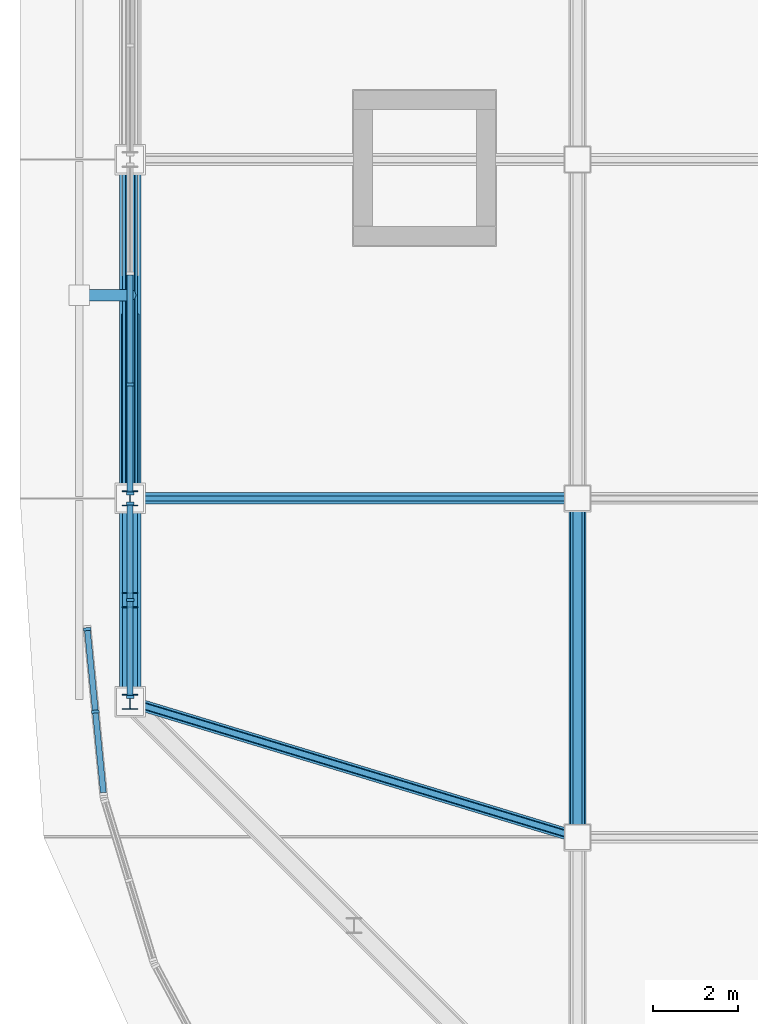
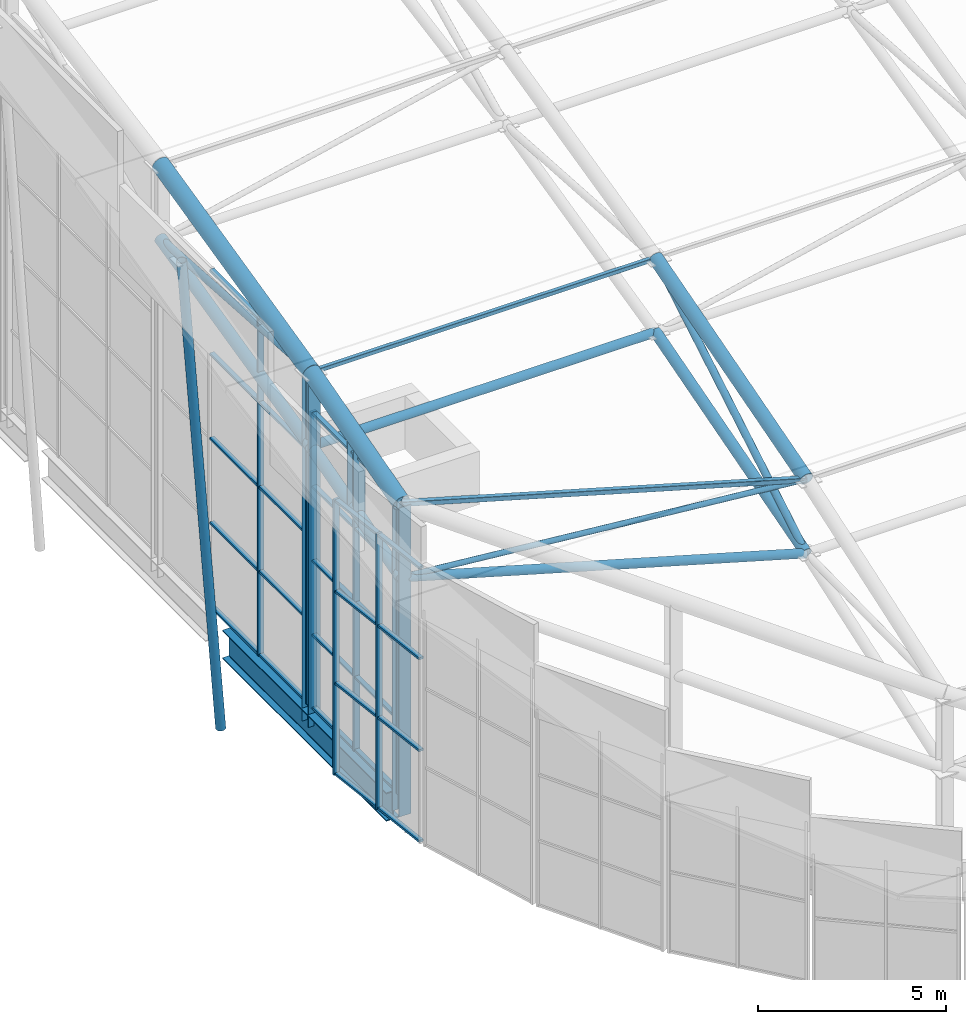
# One storey, part 4 of 42: 52 members, 1 beam, 3 elements without a shape of their own.
"""IFC4 building model written with IfcOpenShell, lengths in metres."""

from ifc_helpers import new_model, si_unit, direction, frame, origin, origin_2d, place, context, subcontext, project, spatial, rectangle, hollow_rectangle, hollow_circle, i_section, extrude, material, layer, layer_set, material_profile, profile_set, type_object, element, aggregate, save


model = new_model("IFC4")

# Units and contexts
model_context = context("Model", 3, precision=1e-05, world=origin(), true_north=direction((0.0, 1.0)))
body_context = subcontext(model_context, "Body", "Model", "MODEL_VIEW")
ifc_project = project(units=[si_unit("LENGTHUNIT", "METRE"), si_unit("AREAUNIT", "SQUARE_METRE"), si_unit("VOLUMEUNIT", "CUBIC_METRE"), si_unit("PLANEANGLEUNIT", "RADIAN"), si_unit("MASSUNIT", "GRAM", prefix="KILO")], contexts=[model_context])

# Site, building, storey
site_placement = place(None, origin())
site = spatial("IfcSite", under=ifc_project, at=site_placement, CompositionType="ELEMENT")
building_placement = place(site_placement, origin())
building = spatial("IfcBuilding", under=site, at=building_placement, Name="Caelomonte Colonnade Arena", CompositionType="ELEMENT")
storey_placement = place(building_placement, frame((0.0, 0.0, 28.199951171875)))
storey = spatial("IfcBuildingStorey", under=building, at=storey_placement, Name="RF", CompositionType="ELEMENT", Elevation=28.199951171875)

# Curtain wall, members
ifc_material_1 = material(Name="Bronze anodised aluminium and low-E glazing", Category="aluminium")
ifc_layer_1 = layer(ifc_material_1, 0.179931640625)
ifc_layer_set_1 = layer_set([ifc_layer_1], Name="Bronze anodised aluminium and low-E glazing")
curtain_wall_type_1 = type_object("IfcCurtainWallType", Name="ENV-CW-CW-TYMP-01", PredefinedType="USERDEFINED", material=ifc_layer_set_1)
curtain_wall_1_placement = place(storey_placement, origin())
curtain_wall_1 = element("IfcCurtainWall", 1, at=curtain_wall_1_placement, inside=storey, type_object=curtain_wall_type_1, Name="Barrel arch W clerestory tympanum curtain wall 1", ObjectType="UNITIZED CURTAIN WALL", PredefinedType="USERDEFINED")
ifc_material_2 = material(Name="Bronze anodised aluminium AA6063-T6", Category="aluminium")
ifc_material_profile_1 = material_profile(ifc_material_2, rectangle(XDim=0.070068359375, YDim=0.179931640625, at=origin_2d()), Name="CWM-70X180")
ifc_profile_set_1 = profile_set([ifc_material_profile_1], Name="Bronze anodised aluminium AA6063-T6")
member_type_1 = type_object("IfcMemberType", Name="ENV-CW-MULL1", PredefinedType="MULLION", material=ifc_profile_set_1)
member_1_placement = place(storey_placement, frame((57.60009765625, 43.0849609375, -0.14990234375), z_axis=(0.0, 0.0, 1.0), x_axis=(0.0, -1.0, 0.0)))
member_1 = element("IfcMember", 2, at=member_1_placement, type_object=member_type_1, Name="CW-TYMP-01 mullion 1", PredefinedType="MULLION", context=body_context, shape_type="SweptSolid", body=[
    extrude(rectangle(XDim=0.070068359375, YDim=0.179931640625, at=origin_2d()), origin(), (0.0, 0.0, 1.0), 9.61474609375),
])
member_2_placement = place(storey_placement, frame((57.60009765625, 40.800048828125, -0.14990234375), z_axis=(0.0, 0.0, 1.0), x_axis=(0.0, -1.0, 0.0)))
member_2 = element("IfcMember", 3, at=member_2_placement, type_object=member_type_1, Name="CW-TYMP-01 mullion 2", PredefinedType="MULLION", context=body_context, shape_type="SweptSolid", body=[
    extrude(rectangle(XDim=0.070068359375, YDim=0.179931640625, at=origin_2d()), origin(), (0.0, 0.0, 1.0), 9.61474609375),
])
member_3_placement = place(storey_placement, frame((57.60009765625, 38.514892578125, -0.14990234375), z_axis=(0.0, 0.0, 1.0), x_axis=(0.0, -1.0, 0.0)))
member_3 = element("IfcMember", 4, at=member_3_placement, type_object=member_type_1, Name="CW-TYMP-01 mullion 3", PredefinedType="MULLION", context=body_context, shape_type="SweptSolid", body=[
    extrude(rectangle(XDim=0.070068359375, YDim=0.179931640625, at=origin_2d()), origin(), (0.0, 0.0, 1.0), 9.61474609375),
])

ifc_layer_2 = layer(ifc_material_1, 0.179931640625)
ifc_layer_set_2 = layer_set([ifc_layer_2], Name="Bronze anodised aluminium and low-E glazing")
curtain_wall_type_2 = type_object("IfcCurtainWallType", Name="ENV-CW-CW-TYMP-02", PredefinedType="USERDEFINED", material=ifc_layer_set_2)
curtain_wall_2_placement = place(storey_placement, origin())
curtain_wall_2 = element("IfcCurtainWall", 5, at=curtain_wall_2_placement, inside=storey, type_object=curtain_wall_type_2, Name="Barrel arch W clerestory tympanum curtain wall 2", ObjectType="UNITIZED CURTAIN WALL", PredefinedType="USERDEFINED")
member_4_placement = place(storey_placement, frame((57.60009765625, 45.893310546875, -0.14990234375), z_axis=(0.0, 0.0, 1.0), x_axis=(0.0, -1.0, 0.0)))
member_4 = element("IfcMember", 6, at=member_4_placement, type_object=member_type_1, Name="CW-TYMP-02 mullion 3", PredefinedType="MULLION", context=body_context, shape_type="SweptSolid", body=[
    extrude(rectangle(XDim=0.070068359375, YDim=0.179931640625, at=origin_2d()), origin(), (0.0, 0.0, 1.0), 10.952880859375),
])
member_5_placement = place(storey_placement, frame((57.60009765625, 43.31494140625, -0.14990234375), z_axis=(0.0, 0.0, 1.0), x_axis=(0.0, -1.0, 0.0)))
member_5 = element("IfcMember", 7, at=member_5_placement, type_object=member_type_1, Name="CW-TYMP-02 mullion 4", PredefinedType="MULLION", context=body_context, shape_type="SweptSolid", body=[
    extrude(rectangle(XDim=0.070068359375, YDim=0.179931640625, at=origin_2d()), origin(), (0.0, 0.0, 1.0), 10.952880859375),
])

ifc_layer_3 = layer(ifc_material_1, 0.179931640625)
ifc_layer_set_3 = layer_set([ifc_layer_3], Name="Bronze anodised aluminium and low-E glazing")
curtain_wall_type_3 = type_object("IfcCurtainWallType", Name="ENV-CW-CW-TYMPC-01-89", PredefinedType="USERDEFINED", material=ifc_layer_set_3)
curtain_wall_3_placement = place(storey_placement, origin())
curtain_wall_3 = element("IfcCurtainWall", 8, at=curtain_wall_3_placement, inside=storey, type_object=curtain_wall_type_3, Name="Barrel arch rounded corner clerestory curtain wall 25", ObjectType="UNITIZED CURTAIN WALL", PredefinedType="USERDEFINED")
member_6_placement = place(storey_placement, frame((56.58837890625, 40.115478515625, -0.14990234375), z_axis=(0.0, 0.0, 1.0), x_axis=(0.098031417843, -0.995183320356, 0.0)))
member_6 = element("IfcMember", 9, at=member_6_placement, type_object=member_type_1, Name="CW-TYMPC-01-89 mullion 1", PredefinedType="MULLION", context=body_context, shape_type="SweptSolid", body=[
    extrude(rectangle(XDim=0.070068359375, YDim=0.179931640625, at=origin_2d()), origin(), (0.0, 0.0, 1.0), 8.93017578125),
])
member_7_placement = place(storey_placement, frame((56.780029296875, 38.169189453125, -0.14990234375), z_axis=(0.0, 0.0, 1.0), x_axis=(0.098031417843, -0.995183320356, 0.0)))
member_7 = element("IfcMember", 10, at=member_7_placement, type_object=member_type_1, Name="CW-TYMPC-01-89 mullion 2", PredefinedType="MULLION", context=body_context, shape_type="SweptSolid", body=[
    extrude(rectangle(XDim=0.070068359375, YDim=0.179931640625, at=origin_2d()), origin(), (0.0, 0.0, 1.0), 8.93017578125),
])

# Member
ifc_material_profile_2 = material_profile(ifc_material_2, rectangle(XDim=0.070068359375, YDim=0.139892578125, at=origin_2d()), Name="CWT-70X140")
ifc_profile_set_2 = profile_set([ifc_material_profile_2], Name="Bronze anodised aluminium AA6063-T6")
member_type_2 = type_object("IfcMemberType", Name="ENV-CW-TRAN1", PredefinedType="USERDEFINED", material=ifc_profile_set_2)
member_8_placement = place(storey_placement, frame((57.60009765625, 43.050048828125, -0.114990234375), z_axis=(0.0, -1.0, 0.0), x_axis=(0.0, 0.0, 1.0)))
member_8 = element("IfcMember", 11, at=member_8_placement, type_object=member_type_2, Name="CW-TYMP-01 transom 1.1", ObjectType="TRANSOM", PredefinedType="USERDEFINED", context=body_context, shape_type="SweptSolid", body=[
    extrude(rectangle(XDim=0.070068359375, YDim=0.139892578125, at=origin_2d()), origin(), (0.0, 0.0, 1.0), 2.215087890625),
])

member_9_placement = place(storey_placement, frame((57.60009765625, 43.050048828125, 2.253662109375), z_axis=(0.0, -1.0, 0.0), x_axis=(0.0, 0.0, 1.0)))
member_9 = element("IfcMember", 12, at=member_9_placement, type_object=member_type_2, Name="CW-TYMP-01 transom 1.2", ObjectType="TRANSOM", PredefinedType="USERDEFINED", context=body_context, shape_type="SweptSolid", body=[
    extrude(rectangle(XDim=0.070068359375, YDim=0.139892578125, at=origin_2d()), origin(), (0.0, 0.0, 1.0), 2.215087890625),
])

member_10_placement = place(storey_placement, frame((57.60009765625, 43.050048828125, 4.657470703125), z_axis=(0.0, -1.0, 0.0), x_axis=(0.0, 0.0, 1.0)))
member_10 = element("IfcMember", 13, at=member_10_placement, type_object=member_type_2, Name="CW-TYMP-01 transom 1.3", ObjectType="TRANSOM", PredefinedType="USERDEFINED", context=body_context, shape_type="SweptSolid", body=[
    extrude(rectangle(XDim=0.070068359375, YDim=0.139892578125, at=origin_2d()), origin(), (0.0, 0.0, 1.0), 2.215087890625),
])

member_11_placement = place(storey_placement, frame((57.60009765625, 43.050048828125, 7.061279296875), z_axis=(0.0, -1.0, 0.0), x_axis=(0.0, 0.0, 1.0)))
member_11 = element("IfcMember", 14, at=member_11_placement, type_object=member_type_2, Name="CW-TYMP-01 transom 1.4", ObjectType="TRANSOM", PredefinedType="USERDEFINED", context=body_context, shape_type="SweptSolid", body=[
    extrude(rectangle(XDim=0.070068359375, YDim=0.139892578125, at=origin_2d()), origin(), (0.0, 0.0, 1.0), 2.215087890625),
])

member_12_placement = place(storey_placement, frame((57.60009765625, 43.050048828125, 9.429931640625), z_axis=(0.0, -1.0, 0.0), x_axis=(0.0, 0.0, 1.0)))
member_12 = element("IfcMember", 15, at=member_12_placement, type_object=member_type_2, Name="CW-TYMP-01 transom 1.5", ObjectType="TRANSOM", PredefinedType="USERDEFINED", context=body_context, shape_type="SweptSolid", body=[
    extrude(rectangle(XDim=0.070068359375, YDim=0.139892578125, at=origin_2d()), origin(), (0.0, 0.0, 1.0), 2.215087890625),
])

member_13_placement = place(storey_placement, frame((57.60009765625, 40.764892578125, -0.114990234375), z_axis=(0.0, -1.0, 0.0), x_axis=(0.0, 0.0, 1.0)))
member_13 = element("IfcMember", 16, at=member_13_placement, type_object=member_type_2, Name="CW-TYMP-01 transom 2.1", ObjectType="TRANSOM", PredefinedType="USERDEFINED", context=body_context, shape_type="SweptSolid", body=[
    extrude(rectangle(XDim=0.070068359375, YDim=0.139892578125, at=origin_2d()), origin(), (0.0, 0.0, 1.0), 2.21484375),
])

member_14_placement = place(storey_placement, frame((57.60009765625, 40.764892578125, 2.253662109375), z_axis=(0.0, -1.0, 0.0), x_axis=(0.0, 0.0, 1.0)))
member_14 = element("IfcMember", 17, at=member_14_placement, type_object=member_type_2, Name="CW-TYMP-01 transom 2.2", ObjectType="TRANSOM", PredefinedType="USERDEFINED", context=body_context, shape_type="SweptSolid", body=[
    extrude(rectangle(XDim=0.070068359375, YDim=0.139892578125, at=origin_2d()), origin(), (0.0, 0.0, 1.0), 2.21484375),
])

member_15_placement = place(storey_placement, frame((57.60009765625, 40.764892578125, 4.657470703125), z_axis=(0.0, -1.0, 0.0), x_axis=(0.0, 0.0, 1.0)))
member_15 = element("IfcMember", 18, at=member_15_placement, type_object=member_type_2, Name="CW-TYMP-01 transom 2.3", ObjectType="TRANSOM", PredefinedType="USERDEFINED", context=body_context, shape_type="SweptSolid", body=[
    extrude(rectangle(XDim=0.070068359375, YDim=0.139892578125, at=origin_2d()), origin(), (0.0, 0.0, 1.0), 2.21484375),
])

member_16_placement = place(storey_placement, frame((57.60009765625, 40.764892578125, 7.061279296875), z_axis=(0.0, -1.0, 0.0), x_axis=(0.0, 0.0, 1.0)))
member_16 = element("IfcMember", 19, at=member_16_placement, type_object=member_type_2, Name="CW-TYMP-01 transom 2.4", ObjectType="TRANSOM", PredefinedType="USERDEFINED", context=body_context, shape_type="SweptSolid", body=[
    extrude(rectangle(XDim=0.070068359375, YDim=0.139892578125, at=origin_2d()), origin(), (0.0, 0.0, 1.0), 2.21484375),
])

member_17_placement = place(storey_placement, frame((57.60009765625, 40.764892578125, 9.429931640625), z_axis=(0.0, -1.0, 0.0), x_axis=(0.0, 0.0, 1.0)))
member_17 = element("IfcMember", 20, at=member_17_placement, type_object=member_type_2, Name="CW-TYMP-01 transom 2.5", ObjectType="TRANSOM", PredefinedType="USERDEFINED", context=body_context, shape_type="SweptSolid", body=[
    extrude(rectangle(XDim=0.070068359375, YDim=0.139892578125, at=origin_2d()), origin(), (0.0, 0.0, 1.0), 2.21484375),
])

aggregate(curtain_wall_1, [member_1, member_2, member_3, member_8, member_9, member_10, member_11, member_12, member_13, member_14, member_15, member_16, member_17])

member_18_placement = place(storey_placement, frame((57.60009765625, 48.4716796875, -0.114990234375), z_axis=(0.0, -1.0, 0.0), x_axis=(0.0, 0.0, 1.0)))
member_18 = element("IfcMember", 21, at=member_18_placement, type_object=member_type_2, Name="CW-TYMP-02 transom 2.1", ObjectType="TRANSOM", PredefinedType="USERDEFINED", context=body_context, shape_type="SweptSolid", body=[
    extrude(rectangle(XDim=0.070068359375, YDim=0.139892578125, at=origin_2d()), origin(), (0.0, 0.0, 1.0), 2.54345703125),
])

member_19_placement = place(storey_placement, frame((57.60009765625, 48.4716796875, 2.58837890625), z_axis=(0.0, -1.0, 0.0), x_axis=(0.0, 0.0, 1.0)))
member_19 = element("IfcMember", 22, at=member_19_placement, type_object=member_type_2, Name="CW-TYMP-02 transom 2.2", ObjectType="TRANSOM", PredefinedType="USERDEFINED", context=body_context, shape_type="SweptSolid", body=[
    extrude(rectangle(XDim=0.070068359375, YDim=0.139892578125, at=origin_2d()), origin(), (0.0, 0.0, 1.0), 2.54345703125),
])

member_20_placement = place(storey_placement, frame((57.60009765625, 48.4716796875, 5.32666015625), z_axis=(0.0, -1.0, 0.0), x_axis=(0.0, 0.0, 1.0)))
member_20 = element("IfcMember", 23, at=member_20_placement, type_object=member_type_2, Name="CW-TYMP-02 transom 2.3", ObjectType="TRANSOM", PredefinedType="USERDEFINED", context=body_context, shape_type="SweptSolid", body=[
    extrude(rectangle(XDim=0.070068359375, YDim=0.139892578125, at=origin_2d()), origin(), (0.0, 0.0, 1.0), 2.54345703125),
])

member_21_placement = place(storey_placement, frame((57.60009765625, 48.4716796875, 8.064697265625), z_axis=(0.0, -1.0, 0.0), x_axis=(0.0, 0.0, 1.0)))
member_21 = element("IfcMember", 24, at=member_21_placement, type_object=member_type_2, Name="CW-TYMP-02 transom 2.4", ObjectType="TRANSOM", PredefinedType="USERDEFINED", context=body_context, shape_type="SweptSolid", body=[
    extrude(rectangle(XDim=0.070068359375, YDim=0.139892578125, at=origin_2d()), origin(), (0.0, 0.0, 1.0), 2.54345703125),
])

member_22_placement = place(storey_placement, frame((57.60009765625, 48.4716796875, 10.76806640625), z_axis=(0.0, -1.0, 0.0), x_axis=(0.0, 0.0, 1.0)))
member_22 = element("IfcMember", 25, at=member_22_placement, type_object=member_type_2, Name="CW-TYMP-02 transom 2.5", ObjectType="TRANSOM", PredefinedType="USERDEFINED", context=body_context, shape_type="SweptSolid", body=[
    extrude(rectangle(XDim=0.070068359375, YDim=0.139892578125, at=origin_2d()), origin(), (0.0, 0.0, 1.0), 2.54345703125),
])

member_23_placement = place(storey_placement, frame((57.60009765625, 45.8583984375, -0.114990234375), z_axis=(0.0, -1.0, 0.0), x_axis=(0.0, 0.0, 1.0)))
member_23 = element("IfcMember", 26, at=member_23_placement, type_object=member_type_2, Name="CW-TYMP-02 transom 3.1", ObjectType="TRANSOM", PredefinedType="USERDEFINED", context=body_context, shape_type="SweptSolid", body=[
    extrude(rectangle(XDim=0.070068359375, YDim=0.139892578125, at=origin_2d()), origin(), (0.0, 0.0, 1.0), 2.50830078125),
])

member_24_placement = place(storey_placement, frame((57.60009765625, 45.8583984375, 2.58837890625), z_axis=(0.0, -1.0, 0.0), x_axis=(0.0, 0.0, 1.0)))
member_24 = element("IfcMember", 27, at=member_24_placement, type_object=member_type_2, Name="CW-TYMP-02 transom 3.2", ObjectType="TRANSOM", PredefinedType="USERDEFINED", context=body_context, shape_type="SweptSolid", body=[
    extrude(rectangle(XDim=0.070068359375, YDim=0.139892578125, at=origin_2d()), origin(), (0.0, 0.0, 1.0), 2.50830078125),
])

member_25_placement = place(storey_placement, frame((57.60009765625, 45.8583984375, 5.32666015625), z_axis=(0.0, -1.0, 0.0), x_axis=(0.0, 0.0, 1.0)))
member_25 = element("IfcMember", 28, at=member_25_placement, type_object=member_type_2, Name="CW-TYMP-02 transom 3.3", ObjectType="TRANSOM", PredefinedType="USERDEFINED", context=body_context, shape_type="SweptSolid", body=[
    extrude(rectangle(XDim=0.070068359375, YDim=0.139892578125, at=origin_2d()), origin(), (0.0, 0.0, 1.0), 2.50830078125),
])

member_26_placement = place(storey_placement, frame((57.60009765625, 45.8583984375, 8.064697265625), z_axis=(0.0, -1.0, 0.0), x_axis=(0.0, 0.0, 1.0)))
member_26 = element("IfcMember", 29, at=member_26_placement, type_object=member_type_2, Name="CW-TYMP-02 transom 3.4", ObjectType="TRANSOM", PredefinedType="USERDEFINED", context=body_context, shape_type="SweptSolid", body=[
    extrude(rectangle(XDim=0.070068359375, YDim=0.139892578125, at=origin_2d()), origin(), (0.0, 0.0, 1.0), 2.50830078125),
])

member_27_placement = place(storey_placement, frame((57.60009765625, 45.8583984375, 10.76806640625), z_axis=(0.0, -1.0, 0.0), x_axis=(0.0, 0.0, 1.0)))
member_27 = element("IfcMember", 30, at=member_27_placement, type_object=member_type_2, Name="CW-TYMP-02 transom 3.5", ObjectType="TRANSOM", PredefinedType="USERDEFINED", context=body_context, shape_type="SweptSolid", body=[
    extrude(rectangle(XDim=0.070068359375, YDim=0.139892578125, at=origin_2d()), origin(), (0.0, 0.0, 1.0), 2.50830078125),
])

aggregate(curtain_wall_2, [member_4, member_5, member_18, member_19, member_20, member_21, member_22, member_23, member_24, member_25, member_26, member_27])

member_28_placement = place(storey_placement, frame((56.591796875, 40.08056640625, -0.114990234375), z_axis=(0.098003880145, -0.995186032597, 0.0), x_axis=(0.0, 0.0, 1.0)))
member_28 = element("IfcMember", 31, at=member_28_placement, type_object=member_type_2, Name="CW-TYMPC-01-89 transom 1.1", ObjectType="TRANSOM", PredefinedType="USERDEFINED", context=body_context, shape_type="SweptSolid", body=[
    extrude(rectangle(XDim=0.070068359375, YDim=0.139892578125, at=origin_2d()), origin(), (0.0, 0.0, 1.0), 1.8857421875),
])

member_29_placement = place(storey_placement, frame((56.591796875, 40.08056640625, 2.82666015625), z_axis=(0.098003880145, -0.995186032597, 0.0), x_axis=(0.0, 0.0, 1.0)))
member_29 = element("IfcMember", 32, at=member_29_placement, type_object=member_type_2, Name="CW-TYMPC-01-89 transom 1.2", ObjectType="TRANSOM", PredefinedType="USERDEFINED", context=body_context, shape_type="SweptSolid", body=[
    extrude(rectangle(XDim=0.070068359375, YDim=0.139892578125, at=origin_2d()), origin(), (0.0, 0.0, 1.0), 1.8857421875),
])

member_30_placement = place(storey_placement, frame((56.591796875, 40.08056640625, 5.803466796875), z_axis=(0.098003880145, -0.995186032597, 0.0), x_axis=(0.0, 0.0, 1.0)))
member_30 = element("IfcMember", 33, at=member_30_placement, type_object=member_type_2, Name="CW-TYMPC-01-89 transom 1.3", ObjectType="TRANSOM", PredefinedType="USERDEFINED", context=body_context, shape_type="SweptSolid", body=[
    extrude(rectangle(XDim=0.070068359375, YDim=0.139892578125, at=origin_2d()), origin(), (0.0, 0.0, 1.0), 1.8857421875),
])

member_31_placement = place(storey_placement, frame((56.591796875, 40.08056640625, 8.745361328125), z_axis=(0.098003880145, -0.995186032597, 0.0), x_axis=(0.0, 0.0, 1.0)))
member_31 = element("IfcMember", 34, at=member_31_placement, type_object=member_type_2, Name="CW-TYMPC-01-89 transom 1.4", ObjectType="TRANSOM", PredefinedType="USERDEFINED", context=body_context, shape_type="SweptSolid", body=[
    extrude(rectangle(XDim=0.070068359375, YDim=0.139892578125, at=origin_2d()), origin(), (0.0, 0.0, 1.0), 1.8857421875),
])

member_32_placement = place(storey_placement, frame((56.783447265625, 38.13427734375, -0.114990234375), z_axis=(0.098003880145, -0.995186032597, 0.0), x_axis=(0.0, 0.0, 1.0)))
member_32 = element("IfcMember", 35, at=member_32_placement, type_object=member_type_2, Name="CW-TYMPC-01-89 transom 2.1", ObjectType="TRANSOM", PredefinedType="USERDEFINED", context=body_context, shape_type="SweptSolid", body=[
    extrude(rectangle(XDim=0.070068359375, YDim=0.139892578125, at=origin_2d()), origin(), (0.0, 0.0, 1.0), 1.8857421875),
])

member_33_placement = place(storey_placement, frame((56.783447265625, 38.13427734375, 2.82666015625), z_axis=(0.098003880145, -0.995186032597, 0.0), x_axis=(0.0, 0.0, 1.0)))
member_33 = element("IfcMember", 36, at=member_33_placement, type_object=member_type_2, Name="CW-TYMPC-01-89 transom 2.2", ObjectType="TRANSOM", PredefinedType="USERDEFINED", context=body_context, shape_type="SweptSolid", body=[
    extrude(rectangle(XDim=0.070068359375, YDim=0.139892578125, at=origin_2d()), origin(), (0.0, 0.0, 1.0), 1.8857421875),
])

member_34_placement = place(storey_placement, frame((56.783447265625, 38.13427734375, 5.803466796875), z_axis=(0.098003880145, -0.995186032597, 0.0), x_axis=(0.0, 0.0, 1.0)))
member_34 = element("IfcMember", 37, at=member_34_placement, type_object=member_type_2, Name="CW-TYMPC-01-89 transom 2.3", ObjectType="TRANSOM", PredefinedType="USERDEFINED", context=body_context, shape_type="SweptSolid", body=[
    extrude(rectangle(XDim=0.070068359375, YDim=0.139892578125, at=origin_2d()), origin(), (0.0, 0.0, 1.0), 1.8857421875),
])

member_35_placement = place(storey_placement, frame((56.783447265625, 38.13427734375, 8.745361328125), z_axis=(0.098003880145, -0.995186032597, 0.0), x_axis=(0.0, 0.0, 1.0)))
member_35 = element("IfcMember", 38, at=member_35_placement, type_object=member_type_2, Name="CW-TYMPC-01-89 transom 2.4", ObjectType="TRANSOM", PredefinedType="USERDEFINED", context=body_context, shape_type="SweptSolid", body=[
    extrude(rectangle(XDim=0.070068359375, YDim=0.139892578125, at=origin_2d()), origin(), (0.0, 0.0, 1.0), 1.8857421875),
])

aggregate(curtain_wall_3, [member_6, member_7, member_28, member_29, member_30, member_31, member_32, member_33, member_34, member_35])

# Beam
ifc_material_3 = material(Name="Wide-flange steel ASTM A992 Grade 50", Category="steel")
ifc_material_profile_3 = material_profile(ifc_material_3, i_section(OverallWidth=0.418212890625, OverallDepth=0.927001953125, WebThickness=0.019287109375, FlangeThickness=0.031982421875, FilletRadius=0.024169921875, at=origin_2d()), Name="W36X231")
ifc_profile_set_3 = profile_set([ifc_material_profile_3], Name="Wide-flange steel ASTM A992 Grade 50")
beam_type = type_object("IfcBeamType", Name="STR-BM-EAVES1", PredefinedType="SPANDREL", material=ifc_profile_set_3)
beam_placement = place(storey_placement, frame((57.60009765625, 38.84912109375, -0.743408203125), z_axis=(0.0, 1.0, 0.0), x_axis=(-1.0, 0.0, 0.0)))
element("IfcBeam", 39, at=beam_placement, inside=storey, type_object=beam_type, Name="RF girder BMY-RF-0576-0384", PredefinedType="SPANDREL", context=body_context, shape_type="SweptSolid", body=[
    extrude(i_section(OverallWidth=0.418212890625, OverallDepth=0.927001953125, WebThickness=0.019287109375, FlangeThickness=0.031982421875, FilletRadius=0.024169921875, at=origin_2d()), origin(), (0.0, 0.0, 1.0), 8.70166015625),
])

# Members
ifc_material_profile_4 = material_profile(ifc_material_3, i_section(OverallWidth=0.368896484375, OverallDepth=0.356201171875, WebThickness=0.01123046875, FlangeThickness=0.01806640625, FilletRadius=0.01513671875, at=origin_2d()), Name="W14X90")
ifc_profile_set_4 = profile_set([ifc_material_profile_4], Name="Wide-flange steel ASTM A992 Grade 50")
member_type_3 = type_object("IfcMemberType", Name="STR-CAT-STR", PredefinedType="STRUT", material=ifc_profile_set_4)
member_36_placement = place(storey_placement, frame((57.60009765625, 38.39990234375, -0.699951171875), z_axis=(0.0, 0.0, 1.0), x_axis=(1.0, 0.0, 0.0)))
element("IfcMember", 40, at=member_36_placement, inside=storey, type_object=member_type_3, Name="Roof truss eaves bearing post 0-2", PredefinedType="STRUT", context=body_context, shape_type="SweptSolid", body=[
    extrude(i_section(OverallWidth=0.368896484375, OverallDepth=0.356201171875, WebThickness=0.01123046875, FlangeThickness=0.01806640625, FilletRadius=0.01513671875, at=origin_2d()), origin(), (0.0, 0.0, 1.0), 10.014892578125),
])
member_37_placement = place(storey_placement, frame((57.60009765625, 43.199951171875, -0.699951171875), z_axis=(0.0, 0.0, 1.0), x_axis=(1.0, 0.0, 0.0)))
element("IfcMember", 41, at=member_37_placement, inside=storey, type_object=member_type_3, Name="Roof truss eaves bearing post 0-3", PredefinedType="STRUT", context=body_context, shape_type="SweptSolid", body=[
    extrude(i_section(OverallWidth=0.368896484375, OverallDepth=0.356201171875, WebThickness=0.01123046875, FlangeThickness=0.01806640625, FilletRadius=0.01513671875, at=origin_2d()), origin(), (0.0, 0.0, 1.0), 11.35302734375),
])
member_38_placement = place(storey_placement, frame((57.60009765625, 40.800048828125, 7.5859375), z_axis=(0.0, 0.0, 1.0), x_axis=(1.0, 0.0, 0.0)))
element("IfcMember", 42, at=member_38_placement, inside=storey, type_object=member_type_3, Name="Space frame roof truss Vierendeel post 0-2", PredefinedType="STRUT", context=body_context, shape_type="SweptSolid", body=[
    extrude(i_section(OverallWidth=0.368896484375, OverallDepth=0.356201171875, WebThickness=0.01123046875, FlangeThickness=0.01806640625, FilletRadius=0.01513671875, at=origin_2d()), origin(), (0.0, 0.0, 1.0), 2.39599609375),
])
ifc_material_4 = material(Name="Steel ASTM A500 Grade C", Category="steel")
ifc_material_profile_5 = material_profile(ifc_material_4, hollow_circle(Radius=0.177734375, WallThickness=0.0126953125, at=origin_2d()), Name="CHS355.6X12.7")
ifc_profile_set_5 = profile_set([ifc_material_profile_5], Name="Steel ASTM A500 Grade C")
member_type_4 = type_object("IfcMemberType", Name="STR-SF-BC1", PredefinedType="CHORD", material=ifc_profile_set_5)
member_39_placement = place(storey_placement, frame((57.60009765625, 38.40185546875, 6.91552734375), z_axis=(0.0, 0.963276563205, 0.268511196748), x_axis=(-1.0, 0.0, 0.0)))
element("IfcMember", 43, at=member_39_placement, inside=storey, type_object=member_type_4, Name="Arched roof truss bottom chord 0-2", PredefinedType="CHORD", context=body_context, shape_type="SweptSolid", body=[
    extrude(hollow_circle(Radius=0.177734375, WallThickness=0.0126953125, at=origin_2d()), origin(), (0.0, 0.0, 1.0), 4.97900390625),
])
member_40_placement = place(storey_placement, frame((57.60009765625, 43.201904296875, 8.253662109375), z_axis=(0.0, 0.973406253466, 0.229085716955), x_axis=(-1.0, 0.0, 0.0)))
element("IfcMember", 44, at=member_40_placement, inside=storey, type_object=member_type_4, Name="Arched roof truss bottom chord 0-3", PredefinedType="CHORD", context=body_context, shape_type="SweptSolid", body=[
    extrude(hollow_circle(Radius=0.177734375, WallThickness=0.0126953125, at=origin_2d()), origin(), (0.0, 0.0, 1.0), 8.214599609375),
])
ifc_material_profile_6 = material_profile(ifc_material_4, hollow_circle(Radius=0.161865234375, WallThickness=0.010009765625, at=origin_2d()), Name="CHS323.9X10.0")
ifc_profile_set_6 = profile_set([ifc_material_profile_6], Name="Steel ASTM A500 Grade C")
member_type_5 = type_object("IfcMemberType", Name="STR-SF-BC2", PredefinedType="CHORD", material=ifc_profile_set_6)
member_41_placement = place(storey_placement, frame((68.159912109375, 35.201904296875, 5.936767578125), z_axis=(0.0, 0.960531688459, 0.278170586988), x_axis=(-1.0, 0.0, 0.0)))
element("IfcMember", 45, at=member_41_placement, inside=storey, type_object=member_type_5, Name="Arched roof truss bottom chord 1-2", PredefinedType="CHORD", context=body_context, shape_type="SweptSolid", body=[
    extrude(hollow_circle(Radius=0.161865234375, WallThickness=0.010009765625, at=origin_2d()), origin(), (0.0, 0.0, 1.0), 8.32470703125),
])
ifc_material_profile_7 = material_profile(ifc_material_4, hollow_rectangle(XDim=0.15234375, YDim=0.15234375, WallThickness=0.008056640625, InnerFilletRadius=0.008056640625, OuterFilletRadius=0.01611328125, at=origin_2d()), Name="HSS152X152X8.0")
ifc_profile_set_7 = profile_set([ifc_material_profile_7], Name="Steel ASTM A500 Grade C")
member_type_6 = type_object("IfcMemberType", Name="STR-SF-PUR2", PredefinedType="PURLIN", material=ifc_profile_set_7)
member_42_placement = place(storey_placement, frame((57.601806640625, 38.3994140625, 9.314697265625), z_axis=(0.953285222609, -0.288858275784, -0.088363911566), x_axis=(0.289992652016, 0.957028871966, 0.0)))
element("IfcMember", 46, at=member_42_placement, inside=storey, type_object=member_type_6, Name="Arched roof purlin 0-2", PredefinedType="PURLIN", context=body_context, shape_type="SweptSolid", body=[
    extrude(hollow_rectangle(XDim=0.15234375, YDim=0.15234375, WallThickness=0.008056640625, InnerFilletRadius=0.008056640625, OuterFilletRadius=0.01611328125, at=origin_2d()), origin(), (0.0, 0.0, 1.0), 11.07373046875),
])
ifc_material_profile_8 = material_profile(ifc_material_4, hollow_rectangle(XDim=0.126953125, YDim=0.126953125, WallThickness=0.00634765625, InnerFilletRadius=0.00634765625, OuterFilletRadius=0.0126953125, at=origin_2d()), Name="HSS127X127X6.4")
ifc_profile_set_8 = profile_set([ifc_material_profile_8], Name="Steel ASTM A500 Grade C")
member_type_7 = type_object("IfcMemberType", Name="STR-SF-PUR3", PredefinedType="PURLIN", material=ifc_profile_set_8)
member_43_placement = place(storey_placement, frame((57.60205078125, 43.199951171875, 10.653076171875), z_axis=(1.0, 0.0, 0.0), x_axis=(0.0, 1.0, 0.0)))
element("IfcMember", 47, at=member_43_placement, inside=storey, type_object=member_type_7, Name="Arched roof purlin 0-3", PredefinedType="PURLIN", context=body_context, shape_type="SweptSolid", body=[
    extrude(hollow_rectangle(XDim=0.126953125, YDim=0.126953125, WallThickness=0.00634765625, InnerFilletRadius=0.00634765625, OuterFilletRadius=0.0126953125, at=origin_2d()), origin(), (0.0, 0.0, 1.0), 10.555908203125),
])
ifc_material_profile_9 = material_profile(ifc_material_4, hollow_circle(Radius=0.25390625, WallThickness=0.015869140625, at=origin_2d()), Name="CHS508X15.9")
ifc_profile_set_9 = profile_set([ifc_material_profile_9], Name="Steel ASTM A500 Grade C")
member_type_8 = type_object("IfcMemberType", Name="STR-SF-TC1", PredefinedType="CHORD", material=ifc_profile_set_9)
member_44_placement = place(storey_placement, frame((57.60009765625, 38.40185546875, 9.3154296875), z_axis=(0.0, 0.963263879579, 0.268556694755), x_axis=(-1.0, 0.0, 0.0)))
element("IfcMember", 48, at=member_44_placement, inside=storey, type_object=member_type_8, Name="Arched roof truss top chord 0-2", PredefinedType="CHORD", context=body_context, shape_type="SweptSolid", body=[
    extrude(hollow_circle(Radius=0.25390625, WallThickness=0.015869140625, at=origin_2d()), origin(), (0.0, 0.0, 1.0), 4.97900390625),
])
member_45_placement = place(storey_placement, frame((57.60009765625, 43.201904296875, 10.653564453125), z_axis=(0.0, 0.973399625624, 0.229113877441), x_axis=(-1.0, 0.0, 0.0)))
element("IfcMember", 49, at=member_45_placement, inside=storey, type_object=member_type_8, Name="Arched roof truss top chord 0-3", PredefinedType="CHORD", context=body_context, shape_type="SweptSolid", body=[
    extrude(hollow_circle(Radius=0.25390625, WallThickness=0.015869140625, at=origin_2d()), origin(), (0.0, 0.0, 1.0), 8.214599609375),
])
ifc_material_profile_10 = material_profile(ifc_material_4, hollow_circle(Radius=0.203125, WallThickness=0.0126953125, at=origin_2d()), Name="CHS406.4X12.7")
ifc_profile_set_10 = profile_set([ifc_material_profile_10], Name="Steel ASTM A500 Grade C")
member_type_9 = type_object("IfcMemberType", Name="STR-SF-TC2", PredefinedType="CHORD", material=ifc_profile_set_10)
member_46_placement = place(storey_placement, frame((68.159912109375, 35.201904296875, 8.336669921875), z_axis=(0.0, 0.960531688459, 0.278170586988), x_axis=(-1.0, 0.0, 0.0)))
element("IfcMember", 50, at=member_46_placement, inside=storey, type_object=member_type_9, Name="Arched roof truss top chord 1-2", PredefinedType="CHORD", context=body_context, shape_type="SweptSolid", body=[
    extrude(hollow_circle(Radius=0.203125, WallThickness=0.0126953125, at=origin_2d()), origin(), (0.0, 0.0, 1.0), 8.32470703125),
])
ifc_material_profile_11 = material_profile(ifc_material_4, hollow_circle(Radius=0.136474609375, WallThickness=0.00927734375, at=origin_2d()), Name="CHS273.0X9.3")
ifc_profile_set_11 = profile_set([ifc_material_profile_11], Name="Steel ASTM A500 Grade C")
member_type_10 = type_object("IfcMemberType", Name="STR-SF-TIE", PredefinedType="STRUT", material=ifc_profile_set_11)
member_47_placement = place(storey_placement, frame((57.601806640625, 38.3994140625, 6.914794921875), z_axis=(0.953285222609, -0.288858275784, -0.088363911566), x_axis=(0.289992652016, 0.957028871966, 0.0)))
element("IfcMember", 51, at=member_47_placement, inside=storey, type_object=member_type_10, Name="Space frame roof tie strut 0-2", PredefinedType="STRUT", context=body_context, shape_type="SweptSolid", body=[
    extrude(hollow_circle(Radius=0.136474609375, WallThickness=0.00927734375, at=origin_2d()), origin(), (0.0, 0.0, 1.0), 11.07373046875),
])
member_48_placement = place(storey_placement, frame((57.60205078125, 43.199951171875, 8.2529296875), z_axis=(1.0, 0.0, 0.0), x_axis=(0.0, 1.0, 0.0)))
element("IfcMember", 52, at=member_48_placement, inside=storey, type_object=member_type_10, Name="Space frame roof tie strut 0-3", PredefinedType="STRUT", context=body_context, shape_type="SweptSolid", body=[
    extrude(hollow_circle(Radius=0.136474609375, WallThickness=0.00927734375, at=origin_2d()), origin(), (0.0, 0.0, 1.0), 10.555908203125),
])
member_49_placement = place(storey_placement, frame((57.599853515625, 48.0, -3.7978515625), z_axis=(-0.076771765103, 0.0, 0.997048692935), x_axis=(0.0, -1.0, 0.0)))
element("IfcMember", 53, at=member_49_placement, inside=storey, type_object=member_type_10, Name="Roof eaves overhang inclined strut 1", PredefinedType="STRUT", context=body_context, shape_type="SweptSolid", body=[
    extrude(hollow_circle(Radius=0.136474609375, WallThickness=0.00927734375, at=origin_2d()), origin(), (0.0, 0.0, 1.0), 15.626953125),
])
ifc_material_profile_12 = material_profile(ifc_material_4, hollow_circle(Radius=0.109619140625, WallThickness=0.00830078125, at=origin_2d()), Name="CHS219.1X8.2")
ifc_profile_set_12 = profile_set([ifc_material_profile_12], Name="Steel ASTM A500 Grade C")
member_type_11 = type_object("IfcMemberType", Name="STR-SF-WEB1", PredefinedType="BRACE", material=ifc_profile_set_12)
member_50_placement = place(storey_placement, frame((57.60009765625, 43.201904296875, 10.65283203125), z_axis=(0.0, 0.997919495279, -0.064472326942), x_axis=(-1.0, 0.0, 0.0)))
element("IfcMember", 54, at=member_50_placement, inside=storey, type_object=member_type_11, Name="Space frame roof truss web diagonal 0-3", PredefinedType="BRACE", context=body_context, shape_type="SweptSolid", body=[
    extrude(hollow_circle(Radius=0.109619140625, WallThickness=0.00830078125, at=origin_2d()), origin(), (0.0, 0.0, 1.0), 8.0126953125),
])
member_51_placement = place(storey_placement, frame((68.159912109375, 35.20166015625, 5.93701171875), z_axis=(0.0, 0.861405734482, 0.507917474203), x_axis=(-1.0, 0.0, 0.0)))
element("IfcMember", 55, at=member_51_placement, inside=storey, type_object=member_type_11, Name="Space frame roof truss web diagonal 1-2", PredefinedType="BRACE", context=body_context, shape_type="SweptSolid", body=[
    extrude(hollow_circle(Radius=0.109619140625, WallThickness=0.00830078125, at=origin_2d()), origin(), (0.0, 0.0, 1.0), 9.283203125),
])
ifc_material_profile_13 = material_profile(ifc_material_4, hollow_circle(Radius=0.084228515625, WallThickness=0.007080078125, at=origin_2d()), Name="CHS168.3X7.1")
ifc_profile_set_13 = profile_set([ifc_material_profile_13], Name="Steel ASTM A500 Grade C")
member_type_12 = type_object("IfcMemberType", Name="STR-SF-WEB2", PredefinedType="BRACE", material=ifc_profile_set_13)
member_52_placement = place(storey_placement, frame((57.601806640625, 38.3994140625, 6.915283203125), z_axis=(0.949191315576, -0.287617766754, 0.127717918407), x_axis=(0.289992652016, 0.957028871966, 0.0)))
element("IfcMember", 56, at=member_52_placement, inside=storey, type_object=member_type_12, Name="Space frame transverse diagonal 0-2", PredefinedType="BRACE", context=body_context, shape_type="SweptSolid", body=[
    extrude(hollow_circle(Radius=0.084228515625, WallThickness=0.007080078125, at=origin_2d()), origin(), (0.0, 0.0, 1.0), 11.12158203125),
])

save(model, "model.ifc")
